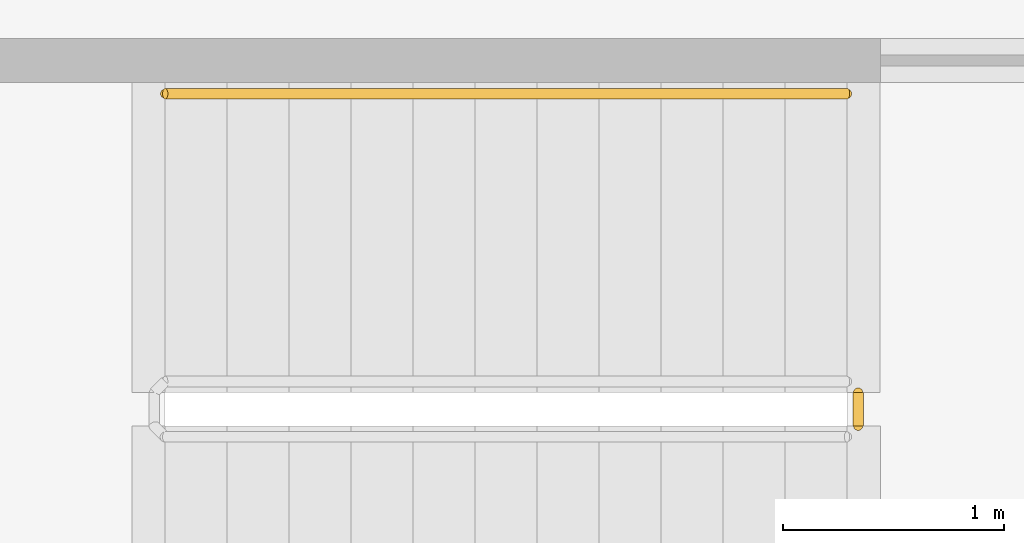
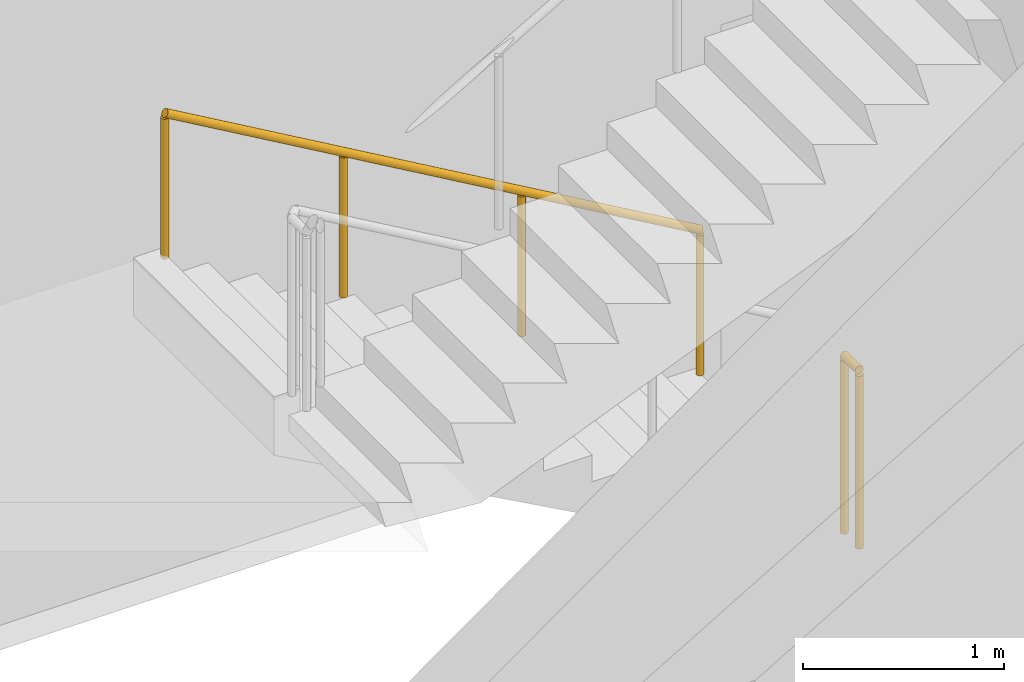
# One storey, part 18 of 21: 2 railings.
"""IFC4 building model written with IfcOpenShell, lengths in metres."""

import ifcopenshell
import ifcopenshell.guid

model = None  # the IFC model being written
_history = None  # IfcOwnerHistory: only IFC2X3 demands one
_inside = {}  # id of a spatial element -> (the spatial element, [elements in it])
_under = {}  # id of a project, library or spatial element -> (it, [spatial elements below it])
_declared = {}  # id of a project -> (the project, [libraries it declares])
_typed = {}  # id of a type object -> (the type object, [elements of that type])
_made_of = {}  # id of a material, layer set ... -> (it, [elements and type objects made of it])


def new_model(schema):
    """Start an empty IFC model of exactly this schema.

    Asked for "IFC4X3", IfcOpenShell would pick the latest addendum, in which some entities
    have other attributes; the version numbers below select the first issue.
    IFC2X3 requires an IfcOwnerHistory on every rooted entity: one is made here for all.
    """
    global model, _history
    if schema == "IFC4X3":
        model = ifcopenshell.file(schema_version=(4, 3, 0, 0))
    else:
        model = ifcopenshell.file(schema=schema)
    _inside.clear()
    _under.clear()
    _declared.clear()
    _typed.clear()
    _made_of.clear()
    _history = None
    if model.schema == "IFC2X3":
        org = make("IfcOrganization", Name="unknown")
        user = make(
            "IfcPersonAndOrganization",
            ThePerson=make("IfcPerson", FamilyName="unknown"),
            TheOrganization=org,
        )
        app = make(
            "IfcApplication",
            ApplicationDeveloper=org,
            Version="unknown",
            ApplicationFullName="unknown",
            ApplicationIdentifier="unknown",
        )
        _history = make(
            "IfcOwnerHistory",
            OwningUser=user,
            OwningApplication=app,
            ChangeAction="ADDED",
            CreationDate=0,
        )
    return model


def make(cls, **values):
    """One entity of the class cls with the attributes given. An attribute that is None is left unset."""
    return model.create_entity(
        cls, **{name: value for name, value in values.items() if value is not None}
    )


def rooted(cls, **values):
    """An entity with a GlobalId (a new one), such as an element, a storey or a relation."""
    return make(cls, GlobalId=ifcopenshell.guid.new(), OwnerHistory=_history, **values)


def si_unit(unit_type, name, prefix=None):
    """IfcSIUnit, for example si_unit("LENGTHUNIT", "METRE", prefix="MILLI")."""
    return make("IfcSIUnit", UnitType=unit_type, Prefix=prefix, Name=name)


def assignment(units):
    """IfcUnitAssignment: the units of a project."""
    return None if units is None else make("IfcUnitAssignment", Units=units)


def point(xyz):
    """IfcCartesianPoint."""
    return None if xyz is None else make("IfcCartesianPoint", Coordinates=xyz)


def direction(xyz):
    """IfcDirection."""
    return None if xyz is None else make("IfcDirection", DirectionRatios=xyz)


def frame(location, z_axis=None, x_axis=None):
    """IfcAxis2Placement3D, a coordinate frame: its origin and axes. An axis left out is left unset."""
    return make(
        "IfcAxis2Placement3D",
        Location=point(location),
        Axis=direction(z_axis),
        RefDirection=direction(x_axis),
    )


def frame_2d(location, x_axis=None):
    """IfcAxis2Placement2D, a coordinate frame in the plane: its origin and x axis."""
    return make(
        "IfcAxis2Placement2D", Location=point(location), RefDirection=direction(x_axis)
    )


def origin():
    """The frame at (0, 0, 0) with its axes left unset."""
    return frame((0.0, 0.0, 0.0))


def origin_2d():
    """The frame at (0, 0) in the plane with its x axis left unset."""
    return frame_2d((0.0, 0.0))


def place(relative_to, where):
    """IfcLocalPlacement: puts the frame where relative to a parent placement (None: the world)."""
    return make(
        "IfcLocalPlacement", PlacementRelTo=relative_to, RelativePlacement=where
    )


def context(
    kind, dimensions, precision=None, world=None, true_north=None, identifier=None
):
    """IfcGeometricRepresentationContext, for example the 3D "Model" context."""
    return make(
        "IfcGeometricRepresentationContext",
        ContextIdentifier=identifier,
        ContextType=kind,
        CoordinateSpaceDimension=dimensions,
        Precision=precision,
        WorldCoordinateSystem=world,
        TrueNorth=true_north,
    )


def subcontext(parent, identifier, kind, view, scale=None):
    """IfcGeometricRepresentationSubContext, for example "Body" below "Model"."""
    return make(
        "IfcGeometricRepresentationSubContext",
        ContextIdentifier=identifier,
        ContextType=kind,
        ParentContext=parent,
        TargetScale=scale,
        TargetView=view,
    )


def project(units=None, contexts=None):
    """IfcProject with its units and contexts."""
    return rooted(
        "IfcProject",
        Name="project",
        RepresentationContexts=contexts,
        UnitsInContext=assignment(units),
    )


def spatial(cls, under=None, at=None, **own):
    """A site, building, storey or space (cls), placed at a placement, below another one or the project."""
    s = rooted(cls, ObjectPlacement=at, **own)
    if under is not None:
        _under.setdefault(under.id(), (under, []))[1].append(s)
    return s


def profile(cls, at=None, kind="AREA", **sizes):
    """A parametric profile (cls). Its sizes go by their IFC names, for example OverallWidth=200.0."""
    return make(cls, ProfileType=kind, Position=at, **sizes)


def circle(**sizes):
    """IfcCircleProfileDef."""
    return profile("IfcCircleProfileDef", **sizes)


def extrude(swept, where, along, depth):
    """IfcExtrudedAreaSolid: the profile swept, set in the frame where, extruded along a direction by depth."""
    return make(
        "IfcExtrudedAreaSolid",
        SweptArea=swept,
        Position=where,
        ExtrudedDirection=direction(along),
        Depth=depth,
    )


def shape(context_of_items, identifier, shape_type, items):
    """IfcShapeRepresentation: the items that make up one representation, for example the "Body"."""
    return make(
        "IfcShapeRepresentation",
        ContextOfItems=context_of_items,
        RepresentationIdentifier=identifier,
        RepresentationType=shape_type,
        Items=items,
    )


def material(Name=None, Category=None):
    """IfcMaterial."""
    return make("IfcMaterial", Name=Name, Category=Category)


def made_of(thing, what):
    """Note that an element or type object is made of a material, layer set ...; save() writes the relation."""
    if what is not None:
        _made_of.setdefault(what.id(), (what, []))[1].append(thing)
    return thing


def type_object(cls, material=None, **own):
    """A type object (cls), such as IfcWallType, which elements share."""
    return made_of(rooted(cls, **own), material)


def element(
    cls,
    number,
    at=None,
    inside=None,
    cuts=None,
    type_object=None,
    material=None,
    context=None,
    identifier="Body",
    shape_type=None,
    held_by="IfcProductDefinitionShape",
    body=None,
    shapes=None,
    **own,
):
    """One element of the class cls, such as IfcWall. Its Tag is "e" and its number.

    at: its placement. inside: the storey or other place that contains it. cuts: it is an
    opening in that element (IfcRelVoidsElement). A single representation is given by context,
    identifier, shape_type and body (its items); several are given by shapes. held_by: the class
    of the entity that holds the representations. save() writes the other relations.
    """
    e = rooted(cls, Tag="e%d" % number, ObjectPlacement=at, **own)
    if body is not None:
        shapes = [shape(context, identifier, shape_type, body)]
    if shapes is not None:
        e.Representation = make(held_by, Representations=shapes)
    if inside is not None:
        _inside.setdefault(inside.id(), (inside, []))[1].append(e)
    if cuts is not None:
        rooted(
            "IfcRelVoidsElement", RelatingBuildingElement=cuts, RelatedOpeningElement=e
        )
    if type_object is not None:
        _typed.setdefault(type_object.id(), (type_object, []))[1].append(e)
    return made_of(e, material)


def aggregate(whole, parts):
    """IfcRelAggregates: a whole, such as a stair, and the parts it consists of."""
    return rooted("IfcRelAggregates", RelatingObject=whole, RelatedObjects=parts)


def save(model, path):
    """Write the relations noted so far, then the file.

    IfcRelAggregates (storeys below a building ...), IfcRelContainedInSpatialStructure (elements
    in a storey), IfcRelDefinesByType, IfcRelAssociatesMaterial and IfcRelDeclares: one each for
    every whole, place, type object, material and project.
    """
    for whole, parts in _under.values():
        aggregate(whole, parts)
    for where, things in _inside.values():
        rooted(
            "IfcRelContainedInSpatialStructure",
            RelatedElements=things,
            RelatingStructure=where,
        )
    for kind, things in _typed.values():
        rooted("IfcRelDefinesByType", RelatedObjects=things, RelatingType=kind)
    for what, things in _made_of.values():
        rooted("IfcRelAssociatesMaterial", RelatedObjects=things, RelatingMaterial=what)
    for by, libraries in _declared.values():
        rooted("IfcRelDeclares", RelatingContext=by, RelatedDefinitions=libraries)
    model.write(path)


model = new_model("IFC4")

# Units and contexts
model_context = context("Model", 3, precision=1e-05, world=origin(), true_north=direction((0.0, 1.0)))
body_context = subcontext(model_context, "Body", "Model", "MODEL_VIEW")
ifc_project = project(units=[si_unit("LENGTHUNIT", "METRE"), si_unit("AREAUNIT", "SQUARE_METRE"), si_unit("VOLUMEUNIT", "CUBIC_METRE"), si_unit("PLANEANGLEUNIT", "RADIAN"), si_unit("MASSUNIT", "GRAM", prefix="KILO")], contexts=[model_context])

# Site, building, storey
site_placement = place(None, origin())
site = spatial("IfcSite", under=ifc_project, at=site_placement, CompositionType="ELEMENT")
building_placement = place(site_placement, origin())
building = spatial("IfcBuilding", under=site, at=building_placement, Name="Kheshtan School and Residences Tower", CompositionType="ELEMENT")
storey_placement = place(building_placement, frame((0.0, 0.0, 224.0)))
storey = spatial("IfcBuildingStorey", under=building, at=storey_placement, Name="L52", CompositionType="ELEMENT", Elevation=224.0)

# Railings
ifc_material_1 = material(Name="Stainless steel balustrade", Category="steel")
railing_type_1 = type_object("IfcRailingType", Name="Stair guard 1100", PredefinedType="GUARDRAIL", material=ifc_material_1)
railing_1_placement = place(storey_placement, frame((78.4599609375, 24.39990234375, 0.0)))
element("IfcRailing", 1, at=railing_1_placement, inside=storey, type_object=railing_type_1, Name="L52 ST5 stair guard 2", PredefinedType="GUARDRAIL", context=body_context, shape_type="SweptSolid", body=[
    extrude(circle(Radius=0.02392578125, at=origin_2d()), frame((0.0, 0.0, 1.076171875), z_axis=(0.0, -1.0, 0.0), x_axis=(1.0, 0.0, 0.0)), (0.0, 0.0, 1.0), 0.14990234375),
    extrude(circle(Radius=0.02099609375, at=origin_2d()), origin(), (0.0, 0.0, 1.0), 1.052001953125),
    extrude(circle(Radius=0.02099609375, at=origin_2d()), frame((0.0, -0.14990234375, 0.0)), (0.0, 0.0, 1.0), 1.052001953125),
])
ifc_material_2 = material(Name="Stainless steel handrail", Category="steel")
railing_type_2 = type_object("IfcRailingType", Name="Stair handrail 900", PredefinedType="HANDRAIL", material=ifc_material_2)
railing_2_placement = place(storey_placement, frame((78.409912109375, 25.75, 0.16259765625)))
element("IfcRailing", 2, at=railing_2_placement, inside=storey, type_object=railing_type_2, Name="L52 ST5 stair handrail 1", PredefinedType="HANDRAIL", context=body_context, shape_type="SweptSolid", body=[
    extrude(circle(Radius=0.02392578125, at=origin_2d()), frame((0.0, 0.0, 0.8759765625), z_axis=(-0.864903211148, 0.0, 0.501938676878), x_axis=(0.0, -1.0, 0.0)), (0.0, 0.0, 1.0), 3.560791015625),
    extrude(circle(Radius=0.02099609375, at=origin_2d()), origin(), (0.0, 0.0, 1.0), 0.851806640625),
    extrude(circle(Radius=0.02099609375, at=origin_2d()), frame((-1.026611328125, 0.0, 0.595703125)), (0.0, 0.0, 1.0), 0.851806640625),
    extrude(circle(Radius=0.02099609375, at=origin_2d()), frame((-2.05322265625, 0.0, 1.191650390625)), (0.0, 0.0, 1.0), 0.851806640625),
    extrude(circle(Radius=0.02099609375, at=origin_2d()), frame((-3.079833984375, 0.0, 1.787353515625)), (0.0, 0.0, 1.0), 0.851806640625),
])

save(model, "model.ifc")
